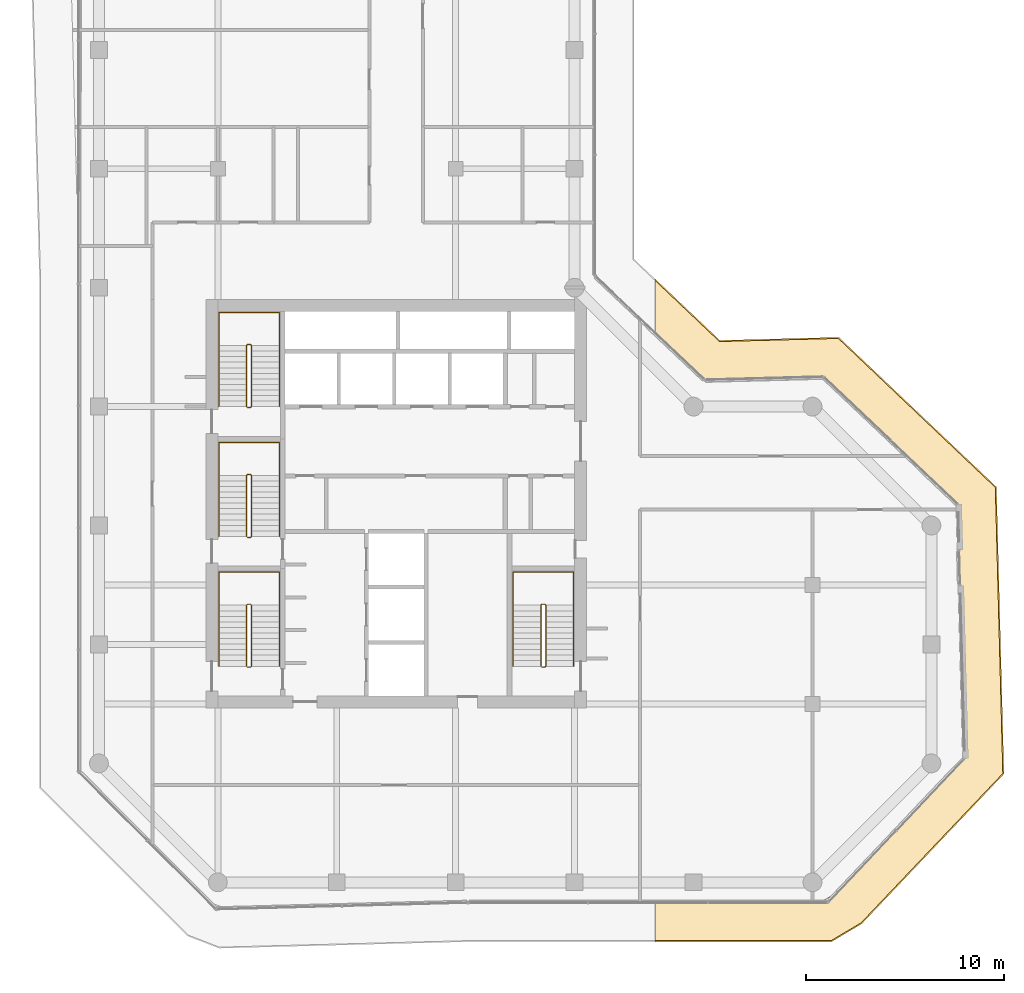
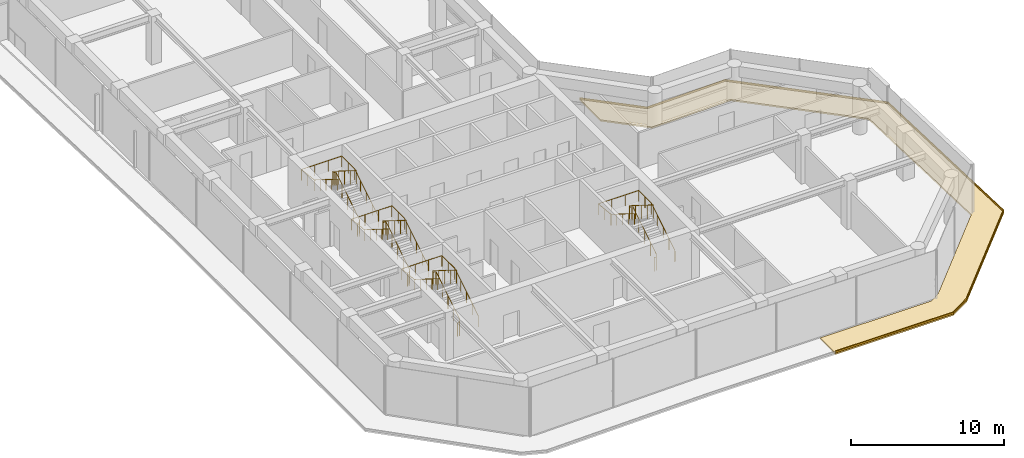
# One storey, part 19 of 20: 8 railings, 2 coverings.
"""IFC4 building model written with IfcOpenShell, lengths in metres."""

from ifc_helpers import new_model, si_unit, direction, frame, origin, origin_2d, place, context, subcontext, project, spatial, polyline, circle, outline, extrude, material, layer, layer_set, type_object, element, save


model = new_model("IFC4")

# Units and contexts
model_context = context("Model", 3, precision=1e-05, world=origin(), true_north=direction((0.0, 1.0)))
body_context = subcontext(model_context, "Body", "Model", "MODEL_VIEW")
ifc_project = project(units=[si_unit("LENGTHUNIT", "METRE"), si_unit("AREAUNIT", "SQUARE_METRE"), si_unit("VOLUMEUNIT", "CUBIC_METRE"), si_unit("PLANEANGLEUNIT", "RADIAN"), si_unit("MASSUNIT", "GRAM", prefix="KILO")], contexts=[model_context])

# Site, building, storey
site_placement = place(None, origin())
site = spatial("IfcSite", under=ifc_project, at=site_placement, CompositionType="ELEMENT")
building_placement = place(site_placement, origin())
building = spatial("IfcBuilding", under=site, at=building_placement, Name="Welwitschia Terrace Campus", CompositionType="ELEMENT")
storey_placement = place(building_placement, frame((0.0, 0.0, 176.0)))
storey = spatial("IfcBuildingStorey", under=building, at=storey_placement, Name="L39", CompositionType="ELEMENT", Elevation=176.0)

# Railings
ifc_material_1 = material(Name="Steel S355", Category="steel")
railing_type_1 = type_object("IfcRailingType", Name="Stair guard 1100", PredefinedType="GUARDRAIL", material=ifc_material_1)
railing_1_placement = place(storey_placement, frame((7.5, 6.85009765625, 0.0)))
element("IfcRailing", 1, at=railing_1_placement, inside=storey, type_object=railing_type_1, Name="L39 S1 stair guard", PredefinedType="GUARDRAIL", context=body_context, shape_type="SweptSolid", body=[
    extrude(circle(Radius=0.02392578125, at=origin_2d()), frame((0.0, 0.0, 1.076171875), z_axis=(1.0, 0.0, 0.0), x_axis=(0.0, 1.0, 0.0)), (0.0, 0.0, 1.0), 0.14990234375),
    extrude(circle(Radius=0.02392578125, at=origin_2d()), frame((0.14990234375, 0.0, 1.076171875), z_axis=(0.265155923931, 0.263862480399, 0.927399011991), x_axis=(-0.705375805398, 0.708833529934, 0.0)), (0.0, 0.0, 1.0), 0.188720703125),
    extrude(circle(Radius=0.02392578125, at=origin_2d()), frame((0.199951171875, 0.0498046875, 1.2509765625), z_axis=(0.0, 0.847998304005, 0.529998940003), x_axis=(-1.0, 0.0, 0.0)), (0.0, 0.0, 1.0), 3.632080078125),
    extrude(circle(Radius=0.02392578125, at=origin_2d()), frame((0.199951171875, 3.1298828125, 3.17626953125), z_axis=(-0.707106781187, 0.707106781187, 0.0), x_axis=(-0.707106781187, -0.707106781187, 0.0)), (0.0, 0.0, 1.0), 0.07080078125),
    extrude(circle(Radius=0.02392578125, at=origin_2d()), frame((0.14990234375, 3.179931640625, 3.17626953125), z_axis=(-1.0, 0.0, 0.0), x_axis=(0.0, -1.0, 0.0)), (0.0, 0.0, 1.0), 0.14990234375),
    extrude(circle(Radius=0.02392578125, at=origin_2d()), frame((0.0, 3.179931640625, 3.17626953125), z_axis=(-0.265383341853, -0.265383341853, 0.926899867156), x_axis=(0.707106781187, -0.707106781187, 0.0)), (0.0, 0.0, 1.0), 0.1884765625),
    extrude(circle(Radius=0.02392578125, at=origin_2d()), frame((-0.050048828125, 3.1298828125, 3.35107421875), z_axis=(0.0, -0.847998304005, 0.529998940003), x_axis=(1.0, 0.0, 0.0)), (0.0, 0.0, 1.0), 3.632080078125),
    extrude(circle(Radius=0.02099609375, at=origin_2d()), origin(), (0.0, 0.0, 1.0), 1.052001953125),
    extrude(circle(Radius=0.02099609375, at=origin_2d()), frame((0.14990234375, 0.0, 0.0)), (0.0, 0.0, 1.0), 1.052001953125),
    extrude(circle(Radius=0.02099609375, at=origin_2d()), frame((0.199951171875, 0.0498046875, 0.175048828125)), (0.0, 0.0, 1.0), 1.052001953125),
    extrude(circle(Radius=0.02099609375, at=origin_2d()), frame((0.199951171875, 0.81982421875, 0.65625)), (0.0, 0.0, 1.0), 1.052001953125),
    extrude(circle(Radius=0.02099609375, at=origin_2d()), frame((0.199951171875, 1.58984375, 1.1376953125)), (0.0, 0.0, 1.0), 1.052001953125),
    extrude(circle(Radius=0.02099609375, at=origin_2d()), frame((0.199951171875, 2.35986328125, 1.618896484375)), (0.0, 0.0, 1.0), 1.052001953125),
    extrude(circle(Radius=0.02099609375, at=origin_2d()), frame((0.199951171875, 3.1298828125, 2.10009765625)), (0.0, 0.0, 1.0), 1.052001953125),
    extrude(circle(Radius=0.02099609375, at=origin_2d()), frame((0.14990234375, 3.179931640625, 2.10009765625)), (0.0, 0.0, 1.0), 1.052001953125),
    extrude(circle(Radius=0.02099609375, at=origin_2d()), frame((0.0, 3.179931640625, 2.10009765625)), (0.0, 0.0, 1.0), 1.052001953125),
    extrude(circle(Radius=0.02099609375, at=origin_2d()), frame((-0.050048828125, 3.1298828125, 2.27490234375)), (0.0, 0.0, 1.0), 1.052001953125),
    extrude(circle(Radius=0.02099609375, at=origin_2d()), frame((-0.050048828125, 2.35986328125, 2.756103515625)), (0.0, 0.0, 1.0), 1.052001953125),
    extrude(circle(Radius=0.02099609375, at=origin_2d()), frame((-0.050048828125, 1.58984375, 3.2373046875)), (0.0, 0.0, 1.0), 1.052001953125),
    extrude(circle(Radius=0.02099609375, at=origin_2d()), frame((-0.050048828125, 0.81982421875, 3.71875)), (0.0, 0.0, 1.0), 1.052001953125),
    extrude(circle(Radius=0.02099609375, at=origin_2d()), frame((-0.050048828125, 0.0498046875, 4.199951171875)), (0.0, 0.0, 1.0), 1.052001953125),
])
railing_2_placement = place(storey_placement, frame((7.5, 13.39990234375, 0.0)))
element("IfcRailing", 2, at=railing_2_placement, inside=storey, type_object=railing_type_1, Name="L39 S3 stair guard", PredefinedType="GUARDRAIL", context=body_context, shape_type="SweptSolid", body=[
    extrude(circle(Radius=0.02392578125, at=origin_2d()), frame((0.0, 0.0, 1.076171875), z_axis=(1.0, 0.0, 0.0), x_axis=(0.0, 1.0, 0.0)), (0.0, 0.0, 1.0), 0.14990234375),
    extrude(circle(Radius=0.02392578125, at=origin_2d()), frame((0.14990234375, 0.0, 1.076171875), z_axis=(0.265065253269, 0.265065253269, 0.927081885822), x_axis=(-0.707106781187, 0.707106781187, 0.0)), (0.0, 0.0, 1.0), 0.188720703125),
    extrude(circle(Radius=0.02392578125, at=origin_2d()), frame((0.199951171875, 0.050048828125, 1.2509765625), z_axis=(0.0, 0.847998304005, 0.529998940003), x_axis=(-1.0, 0.0, 0.0)), (0.0, 0.0, 1.0), 3.632080078125),
    extrude(circle(Radius=0.02392578125, at=origin_2d()), frame((0.199951171875, 3.130126953125, 3.17626953125), z_axis=(-0.707106781187, 0.707106781187, 0.0), x_axis=(-0.707106781187, -0.707106781187, 0.0)), (0.0, 0.0, 1.0), 0.07080078125),
    extrude(circle(Radius=0.02392578125, at=origin_2d()), frame((0.14990234375, 3.18017578125, 3.17626953125), z_axis=(-1.0, 0.0, 0.0), x_axis=(0.0, -1.0, 0.0)), (0.0, 0.0, 1.0), 0.14990234375),
    extrude(circle(Radius=0.02392578125, at=origin_2d()), frame((0.0, 3.18017578125, 3.17626953125), z_axis=(-0.265383341853, -0.265383341853, 0.926899867156), x_axis=(0.707106781187, -0.707106781187, 0.0)), (0.0, 0.0, 1.0), 0.1884765625),
    extrude(circle(Radius=0.02392578125, at=origin_2d()), frame((-0.050048828125, 3.130126953125, 3.35107421875), z_axis=(0.0, -0.847998304005, 0.529998940003), x_axis=(1.0, 0.0, 0.0)), (0.0, 0.0, 1.0), 3.632080078125),
    extrude(circle(Radius=0.02099609375, at=origin_2d()), origin(), (0.0, 0.0, 1.0), 1.052001953125),
    extrude(circle(Radius=0.02099609375, at=origin_2d()), frame((0.14990234375, 0.0, 0.0)), (0.0, 0.0, 1.0), 1.052001953125),
    extrude(circle(Radius=0.02099609375, at=origin_2d()), frame((0.199951171875, 0.050048828125, 0.175048828125)), (0.0, 0.0, 1.0), 1.052001953125),
    extrude(circle(Radius=0.02099609375, at=origin_2d()), frame((0.199951171875, 0.820068359375, 0.65625)), (0.0, 0.0, 1.0), 1.052001953125),
    extrude(circle(Radius=0.02099609375, at=origin_2d()), frame((0.199951171875, 1.590087890625, 1.1376953125)), (0.0, 0.0, 1.0), 1.052001953125),
    extrude(circle(Radius=0.02099609375, at=origin_2d()), frame((0.199951171875, 2.360107421875, 1.618896484375)), (0.0, 0.0, 1.0), 1.052001953125),
    extrude(circle(Radius=0.02099609375, at=origin_2d()), frame((0.199951171875, 3.130126953125, 2.10009765625)), (0.0, 0.0, 1.0), 1.052001953125),
    extrude(circle(Radius=0.02099609375, at=origin_2d()), frame((0.14990234375, 3.18017578125, 2.10009765625)), (0.0, 0.0, 1.0), 1.052001953125),
    extrude(circle(Radius=0.02099609375, at=origin_2d()), frame((0.0, 3.18017578125, 2.10009765625)), (0.0, 0.0, 1.0), 1.052001953125),
    extrude(circle(Radius=0.02099609375, at=origin_2d()), frame((-0.050048828125, 3.130126953125, 2.27490234375)), (0.0, 0.0, 1.0), 1.052001953125),
    extrude(circle(Radius=0.02099609375, at=origin_2d()), frame((-0.050048828125, 2.360107421875, 2.756103515625)), (0.0, 0.0, 1.0), 1.052001953125),
    extrude(circle(Radius=0.02099609375, at=origin_2d()), frame((-0.050048828125, 1.590087890625, 3.2373046875)), (0.0, 0.0, 1.0), 1.052001953125),
    extrude(circle(Radius=0.02099609375, at=origin_2d()), frame((-0.050048828125, 0.820068359375, 3.71875)), (0.0, 0.0, 1.0), 1.052001953125),
    extrude(circle(Radius=0.02099609375, at=origin_2d()), frame((-0.050048828125, 0.050048828125, 4.199951171875)), (0.0, 0.0, 1.0), 1.052001953125),
])
railing_3_placement = place(storey_placement, frame((7.5, 19.949951171875, 0.0)))
element("IfcRailing", 3, at=railing_3_placement, inside=storey, type_object=railing_type_1, Name="L39 S4 stair guard", PredefinedType="GUARDRAIL", context=body_context, shape_type="SweptSolid", body=[
    extrude(circle(Radius=0.02392578125, at=origin_2d()), frame((0.0, 0.0, 1.076171875), z_axis=(1.0, 0.0, 0.0), x_axis=(0.0, 1.0, 0.0)), (0.0, 0.0, 1.0), 0.14990234375),
    extrude(circle(Radius=0.02392578125, at=origin_2d()), frame((0.14990234375, 0.0, 1.076171875), z_axis=(0.265065253269, 0.265065253269, 0.927081885822), x_axis=(-0.707106781187, 0.707106781187, 0.0)), (0.0, 0.0, 1.0), 0.188720703125),
    extrude(circle(Radius=0.02392578125, at=origin_2d()), frame((0.199951171875, 0.050048828125, 1.2509765625), z_axis=(0.0, 0.847998304005, 0.529998940003), x_axis=(-1.0, 0.0, 0.0)), (0.0, 0.0, 1.0), 3.632080078125),
    extrude(circle(Radius=0.02392578125, at=origin_2d()), frame((0.199951171875, 3.130126953125, 3.17626953125), z_axis=(-0.708833529934, 0.705375805398, 0.0), x_axis=(-0.705375805398, -0.708833529934, 0.0)), (0.0, 0.0, 1.0), 0.070556640625),
    extrude(circle(Radius=0.02392578125, at=origin_2d()), frame((0.14990234375, 3.179931640625, 3.17626953125), z_axis=(-1.0, 0.0, 0.0), x_axis=(0.0, -1.0, 0.0)), (0.0, 0.0, 1.0), 0.14990234375),
    extrude(circle(Radius=0.02392578125, at=origin_2d()), frame((0.0, 3.179931640625, 3.17626953125), z_axis=(-0.265474339444, -0.264179342666, 0.927217692888), x_axis=(0.705375805398, -0.708833529934, 0.0)), (0.0, 0.0, 1.0), 0.1884765625),
    extrude(circle(Radius=0.02392578125, at=origin_2d()), frame((-0.050048828125, 3.130126953125, 3.35107421875), z_axis=(0.0, -0.847998304005, 0.529998940003), x_axis=(1.0, 0.0, 0.0)), (0.0, 0.0, 1.0), 3.632080078125),
    extrude(circle(Radius=0.02099609375, at=origin_2d()), origin(), (0.0, 0.0, 1.0), 1.052001953125),
    extrude(circle(Radius=0.02099609375, at=origin_2d()), frame((0.14990234375, 0.0, 0.0)), (0.0, 0.0, 1.0), 1.052001953125),
    extrude(circle(Radius=0.02099609375, at=origin_2d()), frame((0.199951171875, 0.050048828125, 0.175048828125)), (0.0, 0.0, 1.0), 1.052001953125),
    extrude(circle(Radius=0.02099609375, at=origin_2d()), frame((0.199951171875, 0.820068359375, 0.65625)), (0.0, 0.0, 1.0), 1.052001953125),
    extrude(circle(Radius=0.02099609375, at=origin_2d()), frame((0.199951171875, 1.590087890625, 1.1376953125)), (0.0, 0.0, 1.0), 1.052001953125),
    extrude(circle(Radius=0.02099609375, at=origin_2d()), frame((0.199951171875, 2.360107421875, 1.618896484375)), (0.0, 0.0, 1.0), 1.052001953125),
    extrude(circle(Radius=0.02099609375, at=origin_2d()), frame((0.199951171875, 3.130126953125, 2.10009765625)), (0.0, 0.0, 1.0), 1.052001953125),
    extrude(circle(Radius=0.02099609375, at=origin_2d()), frame((0.14990234375, 3.179931640625, 2.10009765625)), (0.0, 0.0, 1.0), 1.052001953125),
    extrude(circle(Radius=0.02099609375, at=origin_2d()), frame((0.0, 3.179931640625, 2.10009765625)), (0.0, 0.0, 1.0), 1.052001953125),
    extrude(circle(Radius=0.02099609375, at=origin_2d()), frame((-0.050048828125, 3.130126953125, 2.27490234375)), (0.0, 0.0, 1.0), 1.052001953125),
    extrude(circle(Radius=0.02099609375, at=origin_2d()), frame((-0.050048828125, 2.360107421875, 2.756103515625)), (0.0, 0.0, 1.0), 1.052001953125),
    extrude(circle(Radius=0.02099609375, at=origin_2d()), frame((-0.050048828125, 1.590087890625, 3.2373046875)), (0.0, 0.0, 1.0), 1.052001953125),
    extrude(circle(Radius=0.02099609375, at=origin_2d()), frame((-0.050048828125, 0.820068359375, 3.71875)), (0.0, 0.0, 1.0), 1.052001953125),
    extrude(circle(Radius=0.02099609375, at=origin_2d()), frame((-0.050048828125, 0.050048828125, 4.199951171875)), (0.0, 0.0, 1.0), 1.052001953125),
])
railing_4_placement = place(storey_placement, frame((22.35009765625, 6.85009765625, 0.0)))
element("IfcRailing", 4, at=railing_4_placement, inside=storey, type_object=railing_type_1, Name="L39 S2 stair guard", PredefinedType="GUARDRAIL", context=body_context, shape_type="SweptSolid", body=[
    extrude(circle(Radius=0.02392578125, at=origin_2d()), frame((0.0, 0.0, 1.076171875), z_axis=(1.0, 0.0, 0.0), x_axis=(0.0, 1.0, 0.0)), (0.0, 0.0, 1.0), 0.14990234375),
    extrude(circle(Radius=0.02392578125, at=origin_2d()), frame((0.14990234375, 0.0, 1.076171875), z_axis=(0.265155923931, 0.263862480399, 0.927399011991), x_axis=(-0.705375805398, 0.708833529934, 0.0)), (0.0, 0.0, 1.0), 0.188720703125),
    extrude(circle(Radius=0.02392578125, at=origin_2d()), frame((0.199951171875, 0.0498046875, 1.2509765625), z_axis=(0.0, 0.847998304005, 0.529998940003), x_axis=(-1.0, 0.0, 0.0)), (0.0, 0.0, 1.0), 3.632080078125),
    extrude(circle(Radius=0.02392578125, at=origin_2d()), frame((0.199951171875, 3.1298828125, 3.17626953125), z_axis=(-0.707106781187, 0.707106781187, 0.0), x_axis=(-0.707106781187, -0.707106781187, 0.0)), (0.0, 0.0, 1.0), 0.07080078125),
    extrude(circle(Radius=0.02392578125, at=origin_2d()), frame((0.14990234375, 3.179931640625, 3.17626953125), z_axis=(-1.0, 0.0, 0.0), x_axis=(0.0, -1.0, 0.0)), (0.0, 0.0, 1.0), 0.14990234375),
    extrude(circle(Radius=0.02392578125, at=origin_2d()), frame((0.0, 3.179931640625, 3.17626953125), z_axis=(-0.265383341853, -0.265383341853, 0.926899867156), x_axis=(0.707106781187, -0.707106781187, 0.0)), (0.0, 0.0, 1.0), 0.1884765625),
    extrude(circle(Radius=0.02392578125, at=origin_2d()), frame((-0.050048828125, 3.1298828125, 3.35107421875), z_axis=(0.0, -0.847998304005, 0.529998940003), x_axis=(1.0, 0.0, 0.0)), (0.0, 0.0, 1.0), 3.632080078125),
    extrude(circle(Radius=0.02099609375, at=origin_2d()), origin(), (0.0, 0.0, 1.0), 1.052001953125),
    extrude(circle(Radius=0.02099609375, at=origin_2d()), frame((0.14990234375, 0.0, 0.0)), (0.0, 0.0, 1.0), 1.052001953125),
    extrude(circle(Radius=0.02099609375, at=origin_2d()), frame((0.199951171875, 0.0498046875, 0.175048828125)), (0.0, 0.0, 1.0), 1.052001953125),
    extrude(circle(Radius=0.02099609375, at=origin_2d()), frame((0.199951171875, 0.81982421875, 0.65625)), (0.0, 0.0, 1.0), 1.052001953125),
    extrude(circle(Radius=0.02099609375, at=origin_2d()), frame((0.199951171875, 1.58984375, 1.1376953125)), (0.0, 0.0, 1.0), 1.052001953125),
    extrude(circle(Radius=0.02099609375, at=origin_2d()), frame((0.199951171875, 2.35986328125, 1.618896484375)), (0.0, 0.0, 1.0), 1.052001953125),
    extrude(circle(Radius=0.02099609375, at=origin_2d()), frame((0.199951171875, 3.1298828125, 2.10009765625)), (0.0, 0.0, 1.0), 1.052001953125),
    extrude(circle(Radius=0.02099609375, at=origin_2d()), frame((0.14990234375, 3.179931640625, 2.10009765625)), (0.0, 0.0, 1.0), 1.052001953125),
    extrude(circle(Radius=0.02099609375, at=origin_2d()), frame((0.0, 3.179931640625, 2.10009765625)), (0.0, 0.0, 1.0), 1.052001953125),
    extrude(circle(Radius=0.02099609375, at=origin_2d()), frame((-0.050048828125, 3.1298828125, 2.27490234375)), (0.0, 0.0, 1.0), 1.052001953125),
    extrude(circle(Radius=0.02099609375, at=origin_2d()), frame((-0.050048828125, 2.35986328125, 2.756103515625)), (0.0, 0.0, 1.0), 1.052001953125),
    extrude(circle(Radius=0.02099609375, at=origin_2d()), frame((-0.050048828125, 1.58984375, 3.2373046875)), (0.0, 0.0, 1.0), 1.052001953125),
    extrude(circle(Radius=0.02099609375, at=origin_2d()), frame((-0.050048828125, 0.81982421875, 3.71875)), (0.0, 0.0, 1.0), 1.052001953125),
    extrude(circle(Radius=0.02099609375, at=origin_2d()), frame((-0.050048828125, 0.0498046875, 4.199951171875)), (0.0, 0.0, 1.0), 1.052001953125),
])
ifc_material_2 = material(Name="Steel S355", Category="steel")
railing_type_2 = type_object("IfcRailingType", Name="Stair handrail 900", PredefinedType="HANDRAIL", material=ifc_material_2)
railing_5_placement = place(storey_placement, frame((9.10009765625, 6.89990234375, 0.175048828125)))
element("IfcRailing", 5, at=railing_5_placement, inside=storey, type_object=railing_type_2, Name="L39 S1 stair handrail", PredefinedType="HANDRAIL", context=body_context, shape_type="SweptSolid", body=[
    extrude(circle(Radius=0.02392578125, at=origin_2d()), frame((0.0, 0.0, 0.8759765625), z_axis=(0.0, 0.847998304005, 0.529998940003), x_axis=(-1.0, 0.0, 0.0)), (0.0, 0.0, 1.0), 3.632080078125),
    extrude(circle(Radius=0.02392578125, at=origin_2d()), frame((0.0, 3.080078125, 2.80078125), z_axis=(0.0, 1.0, 0.0), x_axis=(-1.0, 0.0, 0.0)), (0.0, 0.0, 1.0), 1.669921875),
    extrude(circle(Radius=0.02392578125, at=origin_2d()), frame((0.0, 4.75, 2.80078125), z_axis=(-1.0, 0.0, 0.0), x_axis=(0.0, -1.0, 0.0)), (0.0, 0.0, 1.0), 3.050048828125),
    extrude(circle(Radius=0.02392578125, at=origin_2d()), frame((-3.050048828125, 4.75, 2.80078125), z_axis=(0.0, -0.994565838508, 0.104109523446), x_axis=(1.0, 0.0, 0.0)), (0.0, 0.0, 1.0), 1.678955078125),
    extrude(circle(Radius=0.02392578125, at=origin_2d()), frame((-3.050048828125, 3.080078125, 2.9755859375), z_axis=(0.0, -0.847998304005, 0.529998940003), x_axis=(1.0, 0.0, 0.0)), (0.0, 0.0, 1.0), 3.632080078125),
    extrude(circle(Radius=0.02099609375, at=origin_2d()), origin(), (0.0, 0.0, 1.0), 0.851806640625),
    extrude(circle(Radius=0.02099609375, at=origin_2d()), frame((0.0, 0.77001953125, 0.481201171875)), (0.0, 0.0, 1.0), 0.851806640625),
    extrude(circle(Radius=0.02099609375, at=origin_2d()), frame((0.0, 1.5400390625, 0.96240234375)), (0.0, 0.0, 1.0), 0.851806640625),
    extrude(circle(Radius=0.02099609375, at=origin_2d()), frame((0.0, 2.31005859375, 1.44384765625)), (0.0, 0.0, 1.0), 0.851806640625),
    extrude(circle(Radius=0.02099609375, at=origin_2d()), frame((0.0, 3.080078125, 1.925048828125)), (0.0, 0.0, 1.0), 0.851806640625),
    extrude(circle(Radius=0.02099609375, at=origin_2d()), frame((0.0, 3.9150390625, 1.925048828125)), (0.0, 0.0, 1.0), 0.851806640625),
    extrude(circle(Radius=0.02099609375, at=origin_2d()), frame((0.0, 4.75, 1.925048828125)), (0.0, 0.0, 1.0), 0.851806640625),
    extrude(circle(Radius=0.02099609375, at=origin_2d()), frame((-1.0166015625, 4.75, 1.925048828125)), (0.0, 0.0, 1.0), 0.851806640625),
    extrude(circle(Radius=0.02099609375, at=origin_2d()), frame((-2.033447265625, 4.75, 1.925048828125)), (0.0, 0.0, 1.0), 0.851806640625),
    extrude(circle(Radius=0.02099609375, at=origin_2d()), frame((-3.050048828125, 4.75, 1.925048828125)), (0.0, 0.0, 1.0), 0.851806640625),
    extrude(circle(Radius=0.02099609375, at=origin_2d()), frame((-3.050048828125, 3.9150390625, 2.012451171875)), (0.0, 0.0, 1.0), 0.851806640625),
    extrude(circle(Radius=0.02099609375, at=origin_2d()), frame((-3.050048828125, 3.080078125, 2.099853515625)), (0.0, 0.0, 1.0), 0.851806640625),
    extrude(circle(Radius=0.02099609375, at=origin_2d()), frame((-3.050048828125, 2.31005859375, 2.5810546875)), (0.0, 0.0, 1.0), 0.851806640625),
    extrude(circle(Radius=0.02099609375, at=origin_2d()), frame((-3.050048828125, 1.5400390625, 3.0625)), (0.0, 0.0, 1.0), 0.851806640625),
    extrude(circle(Radius=0.02099609375, at=origin_2d()), frame((-3.050048828125, 0.77001953125, 3.543701171875)), (0.0, 0.0, 1.0), 0.851806640625),
    extrude(circle(Radius=0.02099609375, at=origin_2d()), frame((-3.050048828125, 0.0, 4.02490234375)), (0.0, 0.0, 1.0), 0.851806640625),
])
railing_6_placement = place(storey_placement, frame((9.10009765625, 13.449951171875, 0.175048828125)))
element("IfcRailing", 6, at=railing_6_placement, inside=storey, type_object=railing_type_2, Name="L39 S3 stair handrail", PredefinedType="HANDRAIL", context=body_context, shape_type="SweptSolid", body=[
    extrude(circle(Radius=0.02392578125, at=origin_2d()), frame((0.0, 0.0, 0.8759765625), z_axis=(0.0, 0.847998304005, 0.529998940003), x_axis=(-1.0, 0.0, 0.0)), (0.0, 0.0, 1.0), 3.632080078125),
    extrude(circle(Radius=0.02392578125, at=origin_2d()), frame((0.0, 3.080078125, 2.80078125), z_axis=(0.0, 1.0, 0.0), x_axis=(-1.0, 0.0, 0.0)), (0.0, 0.0, 1.0), 1.669921875),
    extrude(circle(Radius=0.02392578125, at=origin_2d()), frame((0.0, 4.75, 2.80078125), z_axis=(-1.0, 0.0, 0.0), x_axis=(0.0, -1.0, 0.0)), (0.0, 0.0, 1.0), 3.050048828125),
    extrude(circle(Radius=0.02392578125, at=origin_2d()), frame((-3.050048828125, 4.75, 2.80078125), z_axis=(0.0, -0.994565838508, 0.104109523446), x_axis=(1.0, 0.0, 0.0)), (0.0, 0.0, 1.0), 1.678955078125),
    extrude(circle(Radius=0.02392578125, at=origin_2d()), frame((-3.050048828125, 3.080078125, 2.9755859375), z_axis=(0.0, -0.847998304005, 0.529998940003), x_axis=(1.0, 0.0, 0.0)), (0.0, 0.0, 1.0), 3.632080078125),
    extrude(circle(Radius=0.02099609375, at=origin_2d()), origin(), (0.0, 0.0, 1.0), 0.851806640625),
    extrude(circle(Radius=0.02099609375, at=origin_2d()), frame((0.0, 0.77001953125, 0.481201171875)), (0.0, 0.0, 1.0), 0.851806640625),
    extrude(circle(Radius=0.02099609375, at=origin_2d()), frame((0.0, 1.5400390625, 0.96240234375)), (0.0, 0.0, 1.0), 0.851806640625),
    extrude(circle(Radius=0.02099609375, at=origin_2d()), frame((0.0, 2.31005859375, 1.44384765625)), (0.0, 0.0, 1.0), 0.851806640625),
    extrude(circle(Radius=0.02099609375, at=origin_2d()), frame((0.0, 3.080078125, 1.925048828125)), (0.0, 0.0, 1.0), 0.851806640625),
    extrude(circle(Radius=0.02099609375, at=origin_2d()), frame((0.0, 3.9150390625, 1.925048828125)), (0.0, 0.0, 1.0), 0.851806640625),
    extrude(circle(Radius=0.02099609375, at=origin_2d()), frame((0.0, 4.75, 1.925048828125)), (0.0, 0.0, 1.0), 0.851806640625),
    extrude(circle(Radius=0.02099609375, at=origin_2d()), frame((-1.0166015625, 4.75, 1.925048828125)), (0.0, 0.0, 1.0), 0.851806640625),
    extrude(circle(Radius=0.02099609375, at=origin_2d()), frame((-2.033447265625, 4.75, 1.925048828125)), (0.0, 0.0, 1.0), 0.851806640625),
    extrude(circle(Radius=0.02099609375, at=origin_2d()), frame((-3.050048828125, 4.75, 1.925048828125)), (0.0, 0.0, 1.0), 0.851806640625),
    extrude(circle(Radius=0.02099609375, at=origin_2d()), frame((-3.050048828125, 3.9150390625, 2.012451171875)), (0.0, 0.0, 1.0), 0.851806640625),
    extrude(circle(Radius=0.02099609375, at=origin_2d()), frame((-3.050048828125, 3.080078125, 2.099853515625)), (0.0, 0.0, 1.0), 0.851806640625),
    extrude(circle(Radius=0.02099609375, at=origin_2d()), frame((-3.050048828125, 2.31005859375, 2.5810546875)), (0.0, 0.0, 1.0), 0.851806640625),
    extrude(circle(Radius=0.02099609375, at=origin_2d()), frame((-3.050048828125, 1.5400390625, 3.0625)), (0.0, 0.0, 1.0), 0.851806640625),
    extrude(circle(Radius=0.02099609375, at=origin_2d()), frame((-3.050048828125, 0.77001953125, 3.543701171875)), (0.0, 0.0, 1.0), 0.851806640625),
    extrude(circle(Radius=0.02099609375, at=origin_2d()), frame((-3.050048828125, 0.0, 4.02490234375)), (0.0, 0.0, 1.0), 0.851806640625),
])
railing_7_placement = place(storey_placement, frame((9.10009765625, 20.0, 0.175048828125)))
element("IfcRailing", 7, at=railing_7_placement, inside=storey, type_object=railing_type_2, Name="L39 S4 stair handrail", PredefinedType="HANDRAIL", context=body_context, shape_type="SweptSolid", body=[
    extrude(circle(Radius=0.02392578125, at=origin_2d()), frame((0.0, 0.0, 0.8759765625), z_axis=(0.0, 0.847998304005, 0.529998940003), x_axis=(-1.0, 0.0, 0.0)), (0.0, 0.0, 1.0), 3.632080078125),
    extrude(circle(Radius=0.02392578125, at=origin_2d()), frame((0.0, 3.080078125, 2.80078125), z_axis=(0.0, 1.0, 0.0), x_axis=(-1.0, 0.0, 0.0)), (0.0, 0.0, 1.0), 1.669921875),
    extrude(circle(Radius=0.02392578125, at=origin_2d()), frame((0.0, 4.75, 2.80078125), z_axis=(-1.0, 0.0, 0.0), x_axis=(0.0, -1.0, 0.0)), (0.0, 0.0, 1.0), 3.050048828125),
    extrude(circle(Radius=0.02392578125, at=origin_2d()), frame((-3.050048828125, 4.75, 2.80078125), z_axis=(0.0, -0.994565838508, 0.104109523446), x_axis=(1.0, 0.0, 0.0)), (0.0, 0.0, 1.0), 1.678955078125),
    extrude(circle(Radius=0.02392578125, at=origin_2d()), frame((-3.050048828125, 3.080078125, 2.9755859375), z_axis=(0.0, -0.847998304005, 0.529998940003), x_axis=(1.0, 0.0, 0.0)), (0.0, 0.0, 1.0), 3.632080078125),
    extrude(circle(Radius=0.02099609375, at=origin_2d()), origin(), (0.0, 0.0, 1.0), 0.851806640625),
    extrude(circle(Radius=0.02099609375, at=origin_2d()), frame((0.0, 0.77001953125, 0.481201171875)), (0.0, 0.0, 1.0), 0.851806640625),
    extrude(circle(Radius=0.02099609375, at=origin_2d()), frame((0.0, 1.5400390625, 0.96240234375)), (0.0, 0.0, 1.0), 0.851806640625),
    extrude(circle(Radius=0.02099609375, at=origin_2d()), frame((0.0, 2.31005859375, 1.44384765625)), (0.0, 0.0, 1.0), 0.851806640625),
    extrude(circle(Radius=0.02099609375, at=origin_2d()), frame((0.0, 3.080078125, 1.925048828125)), (0.0, 0.0, 1.0), 0.851806640625),
    extrude(circle(Radius=0.02099609375, at=origin_2d()), frame((0.0, 3.9150390625, 1.925048828125)), (0.0, 0.0, 1.0), 0.851806640625),
    extrude(circle(Radius=0.02099609375, at=origin_2d()), frame((0.0, 4.75, 1.925048828125)), (0.0, 0.0, 1.0), 0.851806640625),
    extrude(circle(Radius=0.02099609375, at=origin_2d()), frame((-1.0166015625, 4.75, 1.925048828125)), (0.0, 0.0, 1.0), 0.851806640625),
    extrude(circle(Radius=0.02099609375, at=origin_2d()), frame((-2.033447265625, 4.75, 1.925048828125)), (0.0, 0.0, 1.0), 0.851806640625),
    extrude(circle(Radius=0.02099609375, at=origin_2d()), frame((-3.050048828125, 4.75, 1.925048828125)), (0.0, 0.0, 1.0), 0.851806640625),
    extrude(circle(Radius=0.02099609375, at=origin_2d()), frame((-3.050048828125, 3.9150390625, 2.012451171875)), (0.0, 0.0, 1.0), 0.851806640625),
    extrude(circle(Radius=0.02099609375, at=origin_2d()), frame((-3.050048828125, 3.080078125, 2.099853515625)), (0.0, 0.0, 1.0), 0.851806640625),
    extrude(circle(Radius=0.02099609375, at=origin_2d()), frame((-3.050048828125, 2.31005859375, 2.5810546875)), (0.0, 0.0, 1.0), 0.851806640625),
    extrude(circle(Radius=0.02099609375, at=origin_2d()), frame((-3.050048828125, 1.5400390625, 3.0625)), (0.0, 0.0, 1.0), 0.851806640625),
    extrude(circle(Radius=0.02099609375, at=origin_2d()), frame((-3.050048828125, 0.77001953125, 3.543701171875)), (0.0, 0.0, 1.0), 0.851806640625),
    extrude(circle(Radius=0.02099609375, at=origin_2d()), frame((-3.050048828125, 0.0, 4.02490234375)), (0.0, 0.0, 1.0), 0.851806640625),
])
railing_8_placement = place(storey_placement, frame((23.949951171875, 6.89990234375, 0.175048828125)))
element("IfcRailing", 8, at=railing_8_placement, inside=storey, type_object=railing_type_2, Name="L39 S2 stair handrail", PredefinedType="HANDRAIL", context=body_context, shape_type="SweptSolid", body=[
    extrude(circle(Radius=0.02392578125, at=origin_2d()), frame((0.0, 0.0, 0.8759765625), z_axis=(0.0, 0.847998304005, 0.529998940003), x_axis=(-1.0, 0.0, 0.0)), (0.0, 0.0, 1.0), 3.632080078125),
    extrude(circle(Radius=0.02392578125, at=origin_2d()), frame((0.0, 3.080078125, 2.80078125), z_axis=(0.0, 1.0, 0.0), x_axis=(-1.0, 0.0, 0.0)), (0.0, 0.0, 1.0), 1.669921875),
    extrude(circle(Radius=0.02392578125, at=origin_2d()), frame((0.0, 4.75, 2.80078125), z_axis=(-1.0, 0.0, 0.0), x_axis=(0.0, -1.0, 0.0)), (0.0, 0.0, 1.0), 3.050048828125),
    extrude(circle(Radius=0.02392578125, at=origin_2d()), frame((-3.050048828125, 4.75, 2.80078125), z_axis=(0.0, -0.994565838508, 0.104109523446), x_axis=(1.0, 0.0, 0.0)), (0.0, 0.0, 1.0), 1.678955078125),
    extrude(circle(Radius=0.02392578125, at=origin_2d()), frame((-3.050048828125, 3.080078125, 2.9755859375), z_axis=(0.0, -0.847998304005, 0.529998940003), x_axis=(1.0, 0.0, 0.0)), (0.0, 0.0, 1.0), 3.632080078125),
    extrude(circle(Radius=0.02099609375, at=origin_2d()), origin(), (0.0, 0.0, 1.0), 0.851806640625),
    extrude(circle(Radius=0.02099609375, at=origin_2d()), frame((0.0, 0.77001953125, 0.481201171875)), (0.0, 0.0, 1.0), 0.851806640625),
    extrude(circle(Radius=0.02099609375, at=origin_2d()), frame((0.0, 1.5400390625, 0.96240234375)), (0.0, 0.0, 1.0), 0.851806640625),
    extrude(circle(Radius=0.02099609375, at=origin_2d()), frame((0.0, 2.31005859375, 1.44384765625)), (0.0, 0.0, 1.0), 0.851806640625),
    extrude(circle(Radius=0.02099609375, at=origin_2d()), frame((0.0, 3.080078125, 1.925048828125)), (0.0, 0.0, 1.0), 0.851806640625),
    extrude(circle(Radius=0.02099609375, at=origin_2d()), frame((0.0, 3.9150390625, 1.925048828125)), (0.0, 0.0, 1.0), 0.851806640625),
    extrude(circle(Radius=0.02099609375, at=origin_2d()), frame((0.0, 4.75, 1.925048828125)), (0.0, 0.0, 1.0), 0.851806640625),
    extrude(circle(Radius=0.02099609375, at=origin_2d()), frame((-1.0166015625, 4.75, 1.925048828125)), (0.0, 0.0, 1.0), 0.851806640625),
    extrude(circle(Radius=0.02099609375, at=origin_2d()), frame((-2.033447265625, 4.75, 1.925048828125)), (0.0, 0.0, 1.0), 0.851806640625),
    extrude(circle(Radius=0.02099609375, at=origin_2d()), frame((-3.050048828125, 4.75, 1.925048828125)), (0.0, 0.0, 1.0), 0.851806640625),
    extrude(circle(Radius=0.02099609375, at=origin_2d()), frame((-3.050048828125, 3.9150390625, 2.012451171875)), (0.0, 0.0, 1.0), 0.851806640625),
    extrude(circle(Radius=0.02099609375, at=origin_2d()), frame((-3.050048828125, 3.080078125, 2.099853515625)), (0.0, 0.0, 1.0), 0.851806640625),
    extrude(circle(Radius=0.02099609375, at=origin_2d()), frame((-3.050048828125, 2.31005859375, 2.5810546875)), (0.0, 0.0, 1.0), 0.851806640625),
    extrude(circle(Radius=0.02099609375, at=origin_2d()), frame((-3.050048828125, 1.5400390625, 3.0625)), (0.0, 0.0, 1.0), 0.851806640625),
    extrude(circle(Radius=0.02099609375, at=origin_2d()), frame((-3.050048828125, 0.77001953125, 3.543701171875)), (0.0, 0.0, 1.0), 0.851806640625),
    extrude(circle(Radius=0.02099609375, at=origin_2d()), frame((-3.050048828125, 0.0, 4.02490234375)), (0.0, 0.0, 1.0), 0.851806640625),
])

# Coverings
ifc_material_3 = material(Name="Bronze anodised aluminium", Category="aluminium")
ifc_layer_1 = layer(ifc_material_3, 0.1201171875)
ifc_layer_set_1 = layer_set([ifc_layer_1], Name="Bronze anodised aluminium")
covering_type_1 = type_object("IfcCoveringType", Name="Sunshade band 2000", PredefinedType="USERDEFINED", material=ifc_layer_set_1)
covering_1_placement = place(storey_placement, frame((0.0, 0.0, -0.25)))
element("IfcCovering", 9, at=covering_1_placement, inside=storey, type_object=covering_type_1, Name="SUNSHADE L39.SE0", ObjectType="SUNSHADE", PredefinedType="USERDEFINED", context=body_context, shape_type="SweptSolid", body=[
    extrude(outline(polyline([(31.32861328125, 23.34228515625), (37.326416015625, 23.499267578125), (45.2841796875, 15.94775390625), (45.663330078125, 1.46728515625), (38.4921875, -6.08935546875), (36.96533203125, -7.0), (28.0498046875, -7.0), (28.0498046875, -5.0), (36.414306640625, -5.0), (37.231201171875, -4.5126953125), (43.642333984375, 2.2431640625), (43.306396484375, 15.067138671875), (36.550537109375, 21.478271484375), (30.552734375, 21.3212890625), (28.0498046875, 23.6962890625), (28.0498046875, 26.45361328125), (31.32861328125, 23.34228515625)])), origin(), (0.0, 0.0, 1.0), 0.1201171875),
])
ifc_material_4 = material(Name="Bronze anodised aluminium", Category="aluminium")
ifc_layer_2 = layer(ifc_material_4, 0.06005859375)
ifc_layer_set_2 = layer_set([ifc_layer_2], Name="Bronze anodised aluminium")
covering_type_2 = type_object("IfcCoveringType", Name="Sunshade lip 60", PredefinedType="USERDEFINED", material=ifc_layer_set_2)
covering_2_placement = place(storey_placement, frame((0.0, 0.0, -0.1298828125)))
element("IfcCovering", 10, at=covering_2_placement, inside=storey, type_object=covering_type_2, Name="SUNSHADE LIP L39.SE0.0", ObjectType="SUNSHADE", PredefinedType="USERDEFINED", context=body_context, shape_type="SweptSolid", body=[
    extrude(outline(polyline([(37.326416015625, 23.499267578125), (45.2841796875, 15.94775390625), (45.663330078125, 1.46728515625), (38.4921875, -6.08935546875), (36.96533203125, -7.0), (28.0498046875, -7.0), (28.0498046875, -6.93994140625), (36.94873046875, -6.93994140625), (38.454345703125, -6.0419921875), (45.602783203125, 1.490478515625), (45.224853515625, 15.921142578125), (37.302978515625, 23.438720703125), (31.30517578125, 23.281494140625), (28.0498046875, 26.370849609375), (28.0498046875, 26.45361328125), (31.32861328125, 23.34228515625), (37.326416015625, 23.499267578125)])), origin(), (0.0, 0.0, 1.0), 0.1298828125),
])

save(model, "model.ifc")
